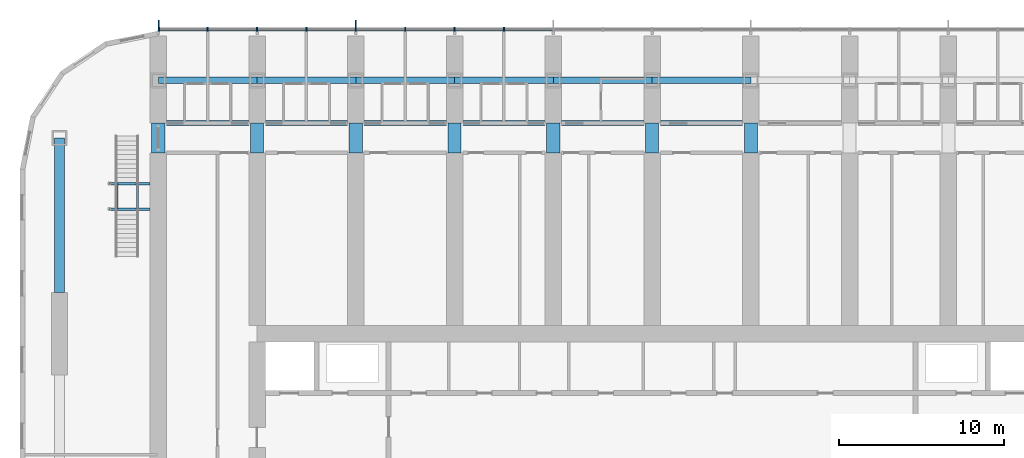
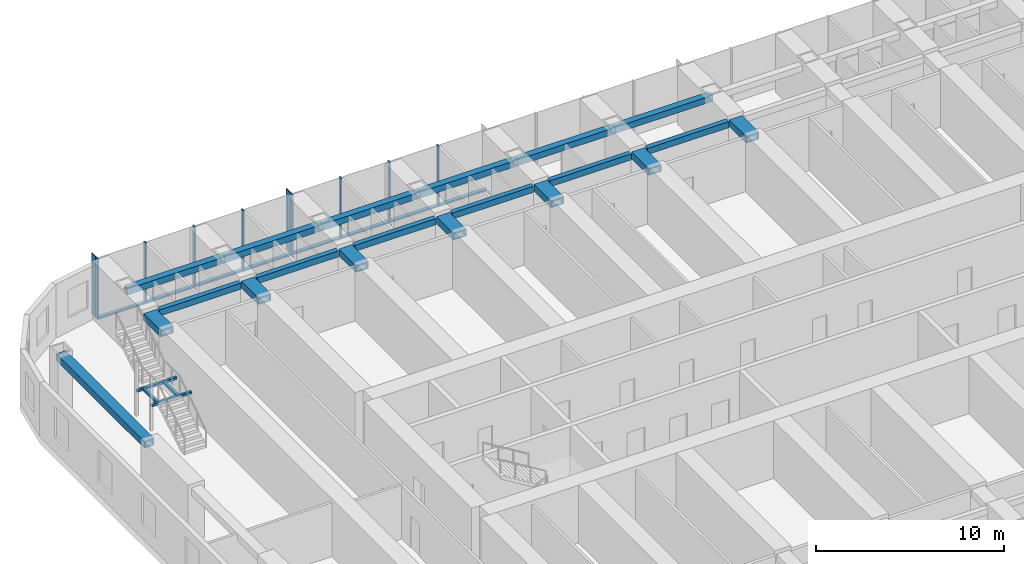
# One storey, part 6 of 28: 24 beams, 18 members, 1 element without a shape of its own.
"""IFC4 building model written with IfcOpenShell, lengths in metres."""

from ifc_helpers import new_model, si_unit, direction, frame, origin, origin_2d, place, context, subcontext, project, spatial, rectangle, hollow_rectangle, extrude, material, material_profile, profile_set, type_object, element, aggregate, save


model = new_model("IFC4")

# Units and contexts
model_context = context("Model", 3, precision=1e-05, world=origin(), true_north=direction((0.0, 1.0)))
body_context = subcontext(model_context, "Body", "Model", "MODEL_VIEW")
ifc_project = project(units=[si_unit("LENGTHUNIT", "METRE"), si_unit("AREAUNIT", "SQUARE_METRE"), si_unit("VOLUMEUNIT", "CUBIC_METRE"), si_unit("PLANEANGLEUNIT", "RADIAN"), si_unit("MASSUNIT", "GRAM", prefix="KILO")], contexts=[model_context])

# Site, building, storey
site_placement = place(None, origin())
site = spatial("IfcSite", under=ifc_project, at=site_placement, CompositionType="ELEMENT")
building_placement = place(site_placement, origin())
building = spatial("IfcBuilding", under=site, at=building_placement, Name="Orbita Commons", CompositionType="ELEMENT")
storey_placement = place(building_placement, frame((0.0, 0.0, 38.949951171875)))
storey = spatial("IfcBuildingStorey", under=building, at=storey_placement, Name="L09", CompositionType="ELEMENT", Elevation=38.949951171875)

# Curtain wall, members
ifc_material_1 = material(Name="Anodised aluminium frame, pale silver", Category="aluminium")
curtain_wall_type = type_object("IfcCurtainWallType", Name="Unitised curtain wall CW-T, vision and spandrel", PredefinedType="NOTDEFINED", material=ifc_material_1)
curtain_wall_placement = place(storey_placement, origin())
curtain_wall = element("IfcCurtainWall", 1, at=curtain_wall_placement, inside=storey, type_object=curtain_wall_type, Name="Curtain wall north L09", PredefinedType="NOTDEFINED")
ifc_material_2 = material(Name="Anodised aluminium, pale silver", Category="aluminium")
ifc_material_profile_1 = material_profile(ifc_material_2, rectangle(XDim=0.080078125, YDim=0.219970703125, at=origin_2d()), Name="AL 80x220")
ifc_profile_set_1 = profile_set([ifc_material_profile_1], Name="Anodised aluminium, pale silver")
member_type_1 = type_object("IfcMemberType", Name="Curtain wall mullion 80x220", PredefinedType="MULLION", material=ifc_profile_set_1)
member_1_placement = place(storey_placement, frame((33.0, 56.7099609375, -0.449951171875), z_axis=(0.0, 0.0, 1.0), x_axis=(-1.0, 0.0, 0.0)))
member_1 = element("IfcMember", 2, at=member_1_placement, type_object=member_type_1, Name="Mullion 14 CW-L09-N", PredefinedType="MULLION", context=body_context, shape_type="SweptSolid", body=[
    extrude(rectangle(XDim=0.080078125, YDim=0.219970703125, at=origin_2d()), origin(), (0.0, 0.0, 1.0), 3.949951171875),
])
member_2_placement = place(storey_placement, frame((30.0, 56.7099609375, -0.449951171875), z_axis=(0.0, 0.0, 1.0), x_axis=(-1.0, 0.0, 0.0)))
member_2 = element("IfcMember", 3, at=member_2_placement, type_object=member_type_1, Name="Mullion 15 CW-L09-N", PredefinedType="MULLION", context=body_context, shape_type="SweptSolid", body=[
    extrude(rectangle(XDim=0.080078125, YDim=0.219970703125, at=origin_2d()), origin(), (0.0, 0.0, 1.0), 3.949951171875),
])
member_3_placement = place(storey_placement, frame((27.0, 56.7099609375, -0.449951171875), z_axis=(0.0, 0.0, 1.0), x_axis=(-1.0, 0.0, 0.0)))
member_3 = element("IfcMember", 4, at=member_3_placement, type_object=member_type_1, Name="Mullion 16 CW-L09-N", PredefinedType="MULLION", context=body_context, shape_type="SweptSolid", body=[
    extrude(rectangle(XDim=0.080078125, YDim=0.219970703125, at=origin_2d()), origin(), (0.0, 0.0, 1.0), 3.949951171875),
])
member_4_placement = place(storey_placement, frame((24.0, 56.7099609375, -0.449951171875), z_axis=(0.0, 0.0, 1.0), x_axis=(-1.0, 0.0, 0.0)))
member_4 = element("IfcMember", 5, at=member_4_placement, type_object=member_type_1, Name="Mullion 17 CW-L09-N", PredefinedType="MULLION", context=body_context, shape_type="SweptSolid", body=[
    extrude(rectangle(XDim=0.080078125, YDim=0.219970703125, at=origin_2d()), origin(), (0.0, 0.0, 1.0), 3.949951171875),
])
member_5_placement = place(storey_placement, frame((21.0, 56.7099609375, -0.449951171875), z_axis=(0.0, 0.0, 1.0), x_axis=(-1.0, 0.0, 0.0)))
member_5 = element("IfcMember", 6, at=member_5_placement, type_object=member_type_1, Name="Mullion 18 CW-L09-N", PredefinedType="MULLION", context=body_context, shape_type="SweptSolid", body=[
    extrude(rectangle(XDim=0.080078125, YDim=0.219970703125, at=origin_2d()), origin(), (0.0, 0.0, 1.0), 3.949951171875),
])
member_6_placement = place(storey_placement, frame((18.0, 56.7099609375, -0.449951171875), z_axis=(0.0, 0.0, 1.0), x_axis=(-1.0, 0.0, 0.0)))
member_6 = element("IfcMember", 7, at=member_6_placement, type_object=member_type_1, Name="Mullion 19 CW-L09-N", PredefinedType="MULLION", context=body_context, shape_type="SweptSolid", body=[
    extrude(rectangle(XDim=0.080078125, YDim=0.219970703125, at=origin_2d()), origin(), (0.0, 0.0, 1.0), 3.949951171875),
])
member_7_placement = place(storey_placement, frame((15.0, 56.7099609375, -0.449951171875), z_axis=(0.0, 0.0, 1.0), x_axis=(-1.0, 0.0, 0.0)))
member_7 = element("IfcMember", 8, at=member_7_placement, type_object=member_type_1, Name="Mullion 20 CW-L09-N", PredefinedType="MULLION", context=body_context, shape_type="SweptSolid", body=[
    extrude(rectangle(XDim=0.080078125, YDim=0.219970703125, at=origin_2d()), origin(), (0.0, 0.0, 1.0), 3.949951171875),
])
member_8_placement = place(storey_placement, frame((12.0400390625, 56.7099609375, -0.449951171875), z_axis=(0.0, 0.0, 1.0), x_axis=(-1.0, 0.0, 0.0)))
member_8 = element("IfcMember", 9, at=member_8_placement, type_object=member_type_1, Name="Mullion 21 CW-L09-N", PredefinedType="MULLION", context=body_context, shape_type="SweptSolid", body=[
    extrude(rectangle(XDim=0.080078125, YDim=0.219970703125, at=origin_2d()), origin(), (0.0, 0.0, 1.0), 3.949951171875),
])
ifc_material_3 = material(Name="Anodised aluminium, pale silver", Category="aluminium")
ifc_material_profile_2 = material_profile(ifc_material_3, rectangle(XDim=0.219970703125, YDim=0.10009765625, at=origin_2d()), Name="AL 220x100")
ifc_profile_set_2 = profile_set([ifc_material_profile_2], Name="Anodised aluminium, pale silver")
member_type_2 = type_object("IfcMemberType", Name="Curtain wall stack transom 220x100", PredefinedType="USERDEFINED", material=ifc_profile_set_2)
member_9_placement = place(storey_placement, frame((35.9599609375, 56.7099609375, -0.39990234375), z_axis=(-1.0, 0.0, 0.0), x_axis=(0.0, -1.0, 0.0)))
member_9 = element("IfcMember", 10, at=member_9_placement, type_object=member_type_2, Name="Transom 13.1 CW-L09-N", ObjectType="TRANSOM", PredefinedType="USERDEFINED", context=body_context, shape_type="SweptSolid", body=[
    extrude(rectangle(XDim=0.219970703125, YDim=0.10009765625, at=origin_2d()), origin(), (0.0, 0.0, 1.0), 2.919921875),
])
member_10_placement = place(storey_placement, frame((32.9599609375, 56.7099609375, -0.39990234375), z_axis=(-1.0, 0.0, 0.0), x_axis=(0.0, -1.0, 0.0)))
member_10 = element("IfcMember", 11, at=member_10_placement, type_object=member_type_2, Name="Transom 14.1 CW-L09-N", ObjectType="TRANSOM", PredefinedType="USERDEFINED", context=body_context, shape_type="SweptSolid", body=[
    extrude(rectangle(XDim=0.219970703125, YDim=0.10009765625, at=origin_2d()), origin(), (0.0, 0.0, 1.0), 2.919921875),
])
member_11_placement = place(storey_placement, frame((29.9599609375, 56.7099609375, -0.39990234375), z_axis=(-1.0, 0.0, 0.0), x_axis=(0.0, -1.0, 0.0)))
member_11 = element("IfcMember", 12, at=member_11_placement, type_object=member_type_2, Name="Transom 15.1 CW-L09-N", ObjectType="TRANSOM", PredefinedType="USERDEFINED", context=body_context, shape_type="SweptSolid", body=[
    extrude(rectangle(XDim=0.219970703125, YDim=0.10009765625, at=origin_2d()), origin(), (0.0, 0.0, 1.0), 2.919921875),
])
member_12_placement = place(storey_placement, frame((26.9599609375, 56.7099609375, -0.39990234375), z_axis=(-1.0, 0.0, 0.0), x_axis=(0.0, -1.0, 0.0)))
member_12 = element("IfcMember", 13, at=member_12_placement, type_object=member_type_2, Name="Transom 16.1 CW-L09-N", ObjectType="TRANSOM", PredefinedType="USERDEFINED", context=body_context, shape_type="SweptSolid", body=[
    extrude(rectangle(XDim=0.219970703125, YDim=0.10009765625, at=origin_2d()), origin(), (0.0, 0.0, 1.0), 2.919921875),
])
member_13_placement = place(storey_placement, frame((23.9599609375, 56.7099609375, -0.39990234375), z_axis=(-1.0, 0.0, 0.0), x_axis=(0.0, -1.0, 0.0)))
member_13 = element("IfcMember", 14, at=member_13_placement, type_object=member_type_2, Name="Transom 17.1 CW-L09-N", ObjectType="TRANSOM", PredefinedType="USERDEFINED", context=body_context, shape_type="SweptSolid", body=[
    extrude(rectangle(XDim=0.219970703125, YDim=0.10009765625, at=origin_2d()), origin(), (0.0, 0.0, 1.0), 2.919921875),
])
member_14_placement = place(storey_placement, frame((20.9599609375, 56.7099609375, -0.39990234375), z_axis=(-1.0, 0.0, 0.0), x_axis=(0.0, -1.0, 0.0)))
member_14 = element("IfcMember", 15, at=member_14_placement, type_object=member_type_2, Name="Transom 18.1 CW-L09-N", ObjectType="TRANSOM", PredefinedType="USERDEFINED", context=body_context, shape_type="SweptSolid", body=[
    extrude(rectangle(XDim=0.219970703125, YDim=0.10009765625, at=origin_2d()), origin(), (0.0, 0.0, 1.0), 2.919921875),
])
member_15_placement = place(storey_placement, frame((17.9599609375, 56.7099609375, -0.39990234375), z_axis=(-1.0, 0.0, 0.0), x_axis=(0.0, -1.0, 0.0)))
member_15 = element("IfcMember", 16, at=member_15_placement, type_object=member_type_2, Name="Transom 19.1 CW-L09-N", ObjectType="TRANSOM", PredefinedType="USERDEFINED", context=body_context, shape_type="SweptSolid", body=[
    extrude(rectangle(XDim=0.219970703125, YDim=0.10009765625, at=origin_2d()), origin(), (0.0, 0.0, 1.0), 2.919921875),
])
member_16_placement = place(storey_placement, frame((14.9599609375, 56.7099609375, -0.39990234375), z_axis=(-1.0, 0.0, 0.0), x_axis=(0.0, -1.0, 0.0)))
member_16 = element("IfcMember", 17, at=member_16_placement, type_object=member_type_2, Name="Transom 20.1 CW-L09-N", ObjectType="TRANSOM", PredefinedType="USERDEFINED", context=body_context, shape_type="SweptSolid", body=[
    extrude(rectangle(XDim=0.219970703125, YDim=0.10009765625, at=origin_2d()), origin(), (0.0, 0.0, 1.0), 2.8798828125),
])

# Beams
ifc_material_4 = material(Name="Steel ASTM A992", Category="steel")
ifc_material_profile_3 = material_profile(ifc_material_4, hollow_rectangle(XDim=0.14990234375, YDim=0.14990234375, WallThickness=0.008056640625, at=origin_2d()), Name="SHS 150x150x8")
ifc_profile_set_3 = profile_set([ifc_material_profile_3], Name="Steel ASTM A992")
beam_type_1 = type_object("IfcBeamType", Name="Landing frame beam SHS 150x150x8", PredefinedType="BEAM", material=ifc_profile_set_3)
for number, where, z_axis, x_axis, name in (
    (18, (9.050048828125, 45.77490234375, 1.60009765625), (1.0, 0.0, 0.0), (0.0, 1.0, 0.0), "Neighbourhood stair L09 to L10 landing frame beam 1"),
    (19, (9.050048828125, 47.3349609375, 1.60009765625), (1.0, 0.0, 0.0), (0.0, 1.0, 0.0), "Neighbourhood stair L09 to L10 landing frame beam 2"),
):
    element("IfcBeam", number, at=place(storey_placement, frame(where, z_axis=z_axis, x_axis=x_axis)), inside=storey, type_object=beam_type_1, Name=name, PredefinedType="BEAM", context=body_context, shape_type="SweptSolid", body=[
        extrude(hollow_rectangle(XDim=0.14990234375, YDim=0.14990234375, WallThickness=0.008056640625, at=origin_2d()), origin(), (0.0, 0.0, 1.0), 2.449951171875),
    ])
for number, where, z_axis, x_axis, name in (
    (20, (9.47509765625, 45.77490234375, 1.60009765625), (0.0, 1.0, 0.0), (-1.0, 0.0, 0.0), "Neighbourhood stair L09 to L10 landing frame beam 3"),
    (21, (10.72509765625, 45.77490234375, 1.60009765625), (0.0, 1.0, 0.0), (-1.0, 0.0, 0.0), "Neighbourhood stair L09 to L10 landing frame beam 4"),
):
    element("IfcBeam", number, at=place(storey_placement, frame(where, z_axis=z_axis, x_axis=x_axis)), inside=storey, type_object=beam_type_1, Name=name, PredefinedType="BEAM", context=body_context, shape_type="SweptSolid", body=[
        extrude(hollow_rectangle(XDim=0.14990234375, YDim=0.14990234375, WallThickness=0.008056640625, at=origin_2d()), origin(), (0.0, 0.0, 1.0), 1.56005859375),
    ])
ifc_material_5 = material(Name="Steel ASTM A572 Gr 50 welded plate", Category="steel")
ifc_material_profile_4 = material_profile(ifc_material_5, hollow_rectangle(XDim=0.300048828125, YDim=0.39990234375, WallThickness=0.0400390625, at=origin_2d()), Name="BOX 400x300x40")
ifc_profile_set_4 = profile_set([ifc_material_profile_4], Name="Steel ASTM A572 Gr 50 welded plate")
beam_type_2 = type_object("IfcBeamType", Name="Steel corridor link BOX 400x300x40", PredefinedType="BEAM", material=ifc_profile_set_4)
for number, where, z_axis, x_axis, name in (
    (22, (12.5, 51.0, 3.300048828125), (1.0, 0.0, 0.0), (0.0, 1.0, 0.0), "Corridor beam NB 3-4 L09"),
    (23, (18.5, 51.0, 3.300048828125), (1.0, 0.0, 0.0), (0.0, 1.0, 0.0), "Corridor beam NB 4-5 L09"),
    (24, (24.5, 51.0, 3.300048828125), (1.0, 0.0, 0.0), (0.0, 1.0, 0.0), "Corridor beam NB 5-6 L09"),
    (25, (30.5, 51.0, 3.300048828125), (1.0, 0.0, 0.0), (0.0, 1.0, 0.0), "Corridor beam NB 6-7 L09"),
    (26, (36.5, 51.0, 3.300048828125), (1.0, 0.0, 0.0), (0.0, 1.0, 0.0), "Corridor beam NB 7-8 L09"),
    (27, (42.5, 51.0, 3.300048828125), (1.0, 0.0, 0.0), (0.0, 1.0, 0.0), "Corridor beam NB 8-9 L09"),
):
    element("IfcBeam", number, at=place(storey_placement, frame(where, z_axis=z_axis, x_axis=x_axis)), inside=storey, type_object=beam_type_2, Name=name, PredefinedType="BEAM", context=body_context, shape_type="SweptSolid", body=[
        extrude(hollow_rectangle(XDim=0.300048828125, YDim=0.39990234375, WallThickness=0.0400390625, at=origin_2d()), origin(), (0.0, 0.0, 1.0), 5.0),
    ])
ifc_material_6 = material(Name="Steel ASTM A572 Gr 50 welded plate", Category="steel")
ifc_material_profile_5 = material_profile(ifc_material_6, hollow_rectangle(XDim=0.800048828125, YDim=0.449951171875, WallThickness=0.06005859375, at=origin_2d()), Name="BOX 450x800x60")
ifc_profile_set_5 = profile_set([ifc_material_profile_5], Name="Steel ASTM A572 Gr 50 welded plate")
beam_type_3 = type_object("IfcBeamType", Name="Steel coupling link BOX 450x800x60", PredefinedType="LINTEL", material=ifc_profile_set_5)
for number, where, z_axis, x_axis, name in (
    (28, (12.0, 49.199951171875, 3.275146484375), (0.0, 1.0, 0.0), (-1.0, 0.0, 0.0), "Coupling beam 3 north L09"),
    (29, (18.0, 49.199951171875, 3.275146484375), (0.0, 1.0, 0.0), (-1.0, 0.0, 0.0), "Coupling beam 4 north L09"),
    (30, (24.0, 49.199951171875, 3.275146484375), (0.0, 1.0, 0.0), (-1.0, 0.0, 0.0), "Coupling beam 5 north L09"),
    (31, (30.0, 49.199951171875, 3.275146484375), (0.0, 1.0, 0.0), (-1.0, 0.0, 0.0), "Coupling beam 6 north L09"),
    (32, (36.0, 49.199951171875, 3.275146484375), (0.0, 1.0, 0.0), (-1.0, 0.0, 0.0), "Coupling beam 7 north L09"),
    (33, (42.0, 49.199951171875, 3.275146484375), (0.0, 1.0, 0.0), (-1.0, 0.0, 0.0), "Coupling beam 8 north L09"),
    (34, (48.0, 49.199951171875, 3.275146484375), (0.0, 1.0, 0.0), (-1.0, 0.0, 0.0), "Coupling beam 9 north L09"),
):
    element("IfcBeam", number, at=place(storey_placement, frame(where, z_axis=z_axis, x_axis=x_axis)), inside=storey, type_object=beam_type_3, Name=name, PredefinedType="LINTEL", context=body_context, shape_type="SweptSolid", body=[
        extrude(hollow_rectangle(XDim=0.800048828125, YDim=0.449951171875, WallThickness=0.06005859375, at=origin_2d()), origin(), (0.0, 0.0, 1.0), 1.800048828125),
    ])
ifc_material_7 = material(Name="Steel ASTM A572 Gr 50 welded plate", Category="steel")
ifc_material_profile_6 = material_profile(ifc_material_7, hollow_rectangle(XDim=0.60009765625, YDim=0.449951171875, WallThickness=0.06005859375, at=origin_2d()), Name="BOX 450x600x60")
ifc_profile_set_6 = profile_set([ifc_material_profile_6], Name="Steel ASTM A572 Gr 50 welded plate")
beam_type_4 = type_object("IfcBeamType", Name="Steel end frame link BOX 450x600x60", PredefinedType="BEAM", material=ifc_profile_set_6)
beam_placement = place(storey_placement, frame((6.0, 40.699951171875, 3.275146484375), z_axis=(0.0, 1.0, 0.0), x_axis=(-1.0, 0.0, 0.0)))
element("IfcBeam", 35, at=beam_placement, inside=storey, type_object=beam_type_4, Name="End frame beam 2 D-E L09", PredefinedType="BEAM", context=body_context, shape_type="SweptSolid", body=[
    extrude(hollow_rectangle(XDim=0.60009765625, YDim=0.449951171875, WallThickness=0.06005859375, at=origin_2d()), origin(), (0.0, 0.0, 1.0), 9.400146484375),
])
ifc_material_8 = material(Name="Steel ASTM A572 Gr 50 welded plate", Category="steel")
ifc_material_profile_7 = material_profile(ifc_material_8, hollow_rectangle(XDim=0.39990234375, YDim=0.39990234375, WallThickness=0.0400390625, at=origin_2d()), Name="BOX 400x400x40")
ifc_profile_set_7 = profile_set([ifc_material_profile_7], Name="Steel ASTM A572 Gr 50 welded plate")
beam_type_5 = type_object("IfcBeamType", Name="Steel spandrel BOX 400x400x40", PredefinedType="SPANDREL", material=ifc_profile_set_7)
for number, where, z_axis, x_axis, name in (
    (36, (12.0, 53.60009765625, 3.300048828125), (1.0, 0.0, 0.0), (0.0, 1.0, 0.0), "Spandrel beam E 3-4 L09"),
    (37, (18.0, 53.60009765625, 3.300048828125), (1.0, 0.0, 0.0), (0.0, 1.0, 0.0), "Spandrel beam E 4-5 L09"),
    (38, (24.0, 53.60009765625, 3.300048828125), (1.0, 0.0, 0.0), (0.0, 1.0, 0.0), "Spandrel beam E 5-6 L09"),
    (39, (30.0, 53.60009765625, 3.300048828125), (1.0, 0.0, 0.0), (0.0, 1.0, 0.0), "Spandrel beam E 6-7 L09"),
    (40, (36.0, 53.60009765625, 3.300048828125), (1.0, 0.0, 0.0), (0.0, 1.0, 0.0), "Spandrel beam E 7-8 L09"),
    (41, (42.0, 53.60009765625, 3.300048828125), (1.0, 0.0, 0.0), (0.0, 1.0, 0.0), "Spandrel beam E 8-9 L09"),
):
    element("IfcBeam", number, at=place(storey_placement, frame(where, z_axis=z_axis, x_axis=x_axis)), inside=storey, type_object=beam_type_5, Name=name, PredefinedType="SPANDREL", context=body_context, shape_type="SweptSolid", body=[
        extrude(hollow_rectangle(XDim=0.39990234375, YDim=0.39990234375, WallThickness=0.0400390625, at=origin_2d()), origin(), (0.0, 0.0, 1.0), 6.0),
    ])

# Member
ifc_material_9 = material(Name="Anodised aluminium, pale silver", Category="aluminium")
ifc_material_profile_8 = material_profile(ifc_material_9, rectangle(XDim=0.06005859375, YDim=0.449951171875, at=origin_2d()), Name="FIN 60x450")
ifc_profile_set_8 = profile_set([ifc_material_profile_8], Name="Anodised aluminium, pale silver")
member_type_3 = type_object("IfcMemberType", Name="Vertical fin 60x450 pale aluminium", PredefinedType="USERDEFINED", material=ifc_profile_set_8)
member_17_placement = place(storey_placement, frame((24.0, 57.044921875, -0.449951171875), z_axis=(0.0, 0.0, 1.0), x_axis=(-1.0, 0.0, 0.0)))
member_17 = element("IfcMember", 42, at=member_17_placement, type_object=member_type_3, Name="Fin 17 CW-L09-N", ObjectType="FIN", PredefinedType="USERDEFINED", context=body_context, shape_type="SweptSolid", body=[
    extrude(rectangle(XDim=0.06005859375, YDim=0.449951171875, at=origin_2d()), origin(), (0.0, 0.0, 1.0), 3.949951171875),
])

member_18_placement = place(storey_placement, frame((12.0400390625, 57.044921875, -0.449951171875), z_axis=(0.0, 0.0, 1.0), x_axis=(-1.0, 0.0, 0.0)))
member_18 = element("IfcMember", 43, at=member_18_placement, type_object=member_type_3, Name="Fin 21 CW-L09-N", ObjectType="FIN", PredefinedType="USERDEFINED", context=body_context, shape_type="SweptSolid", body=[
    extrude(rectangle(XDim=0.06005859375, YDim=0.449951171875, at=origin_2d()), origin(), (0.0, 0.0, 1.0), 3.949951171875),
])

aggregate(curtain_wall, [member_1, member_2, member_3, member_4, member_17, member_5, member_6, member_7, member_8, member_18, member_9, member_10, member_11, member_12, member_13, member_14, member_15, member_16])

save(model, "model.ifc")
